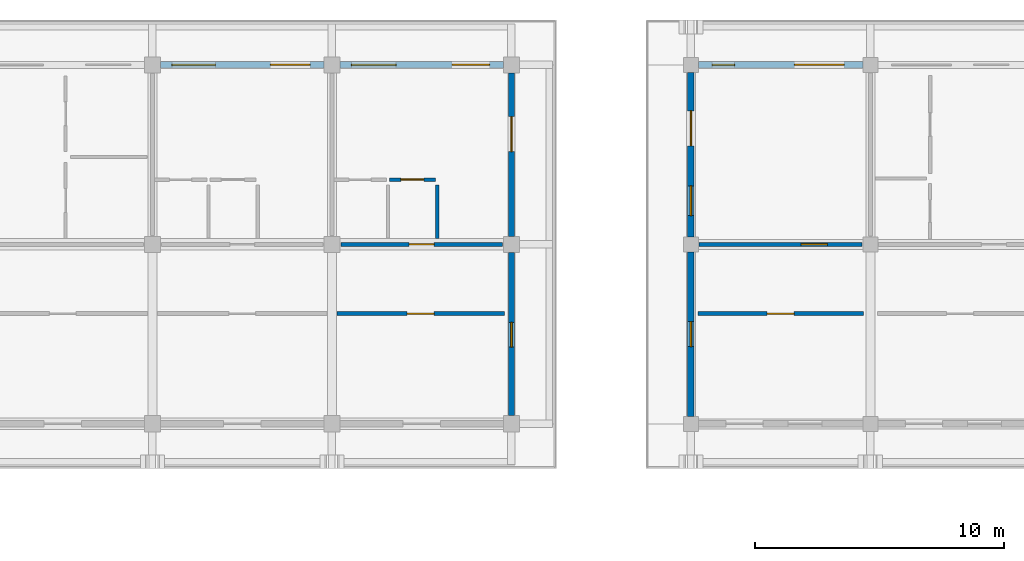
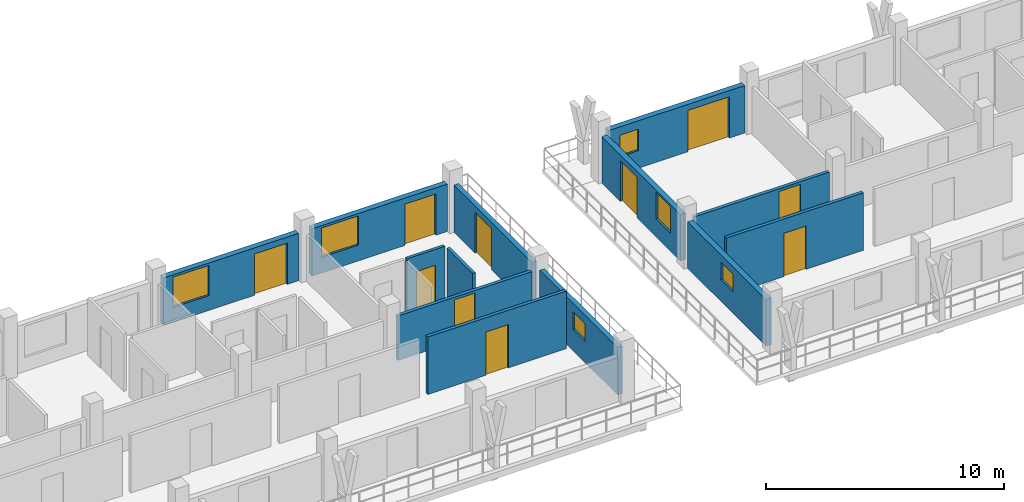
# One storey, part 51 of 78: 13 walls, 10 doors, 6 windows, 16 openings.
"""IFC4 building model written with IfcOpenShell, lengths in metres."""

from ifc_helpers import new_model, si_unit, direction, frame, frame_2d, origin, place, context, subcontext, project, spatial, rectangle, extrude, material, layer, layer_set, type_object, element, fill, save


model = new_model("IFC4")

# Units and contexts
model_context = context("Model", 3, precision=1e-05, world=origin(), true_north=direction((0.0, 1.0)))
body_context = subcontext(model_context, "Body", "Model", "MODEL_VIEW")
ifc_project = project(units=[si_unit("LENGTHUNIT", "METRE"), si_unit("AREAUNIT", "SQUARE_METRE"), si_unit("VOLUMEUNIT", "CUBIC_METRE"), si_unit("PLANEANGLEUNIT", "RADIAN"), si_unit("MASSUNIT", "GRAM", prefix="KILO")], contexts=[model_context])

# Site, building, storey
site_placement = place(None, origin())
site = spatial("IfcSite", under=ifc_project, at=site_placement, CompositionType="ELEMENT")
building_placement = place(site_placement, origin())
building = spatial("IfcBuilding", under=site, at=building_placement, Name="Suanplinth Sawtooth Commons", CompositionType="ELEMENT")
storey_placement = place(building_placement, frame((0.0, 0.0, 15.39990234375)))
storey = spatial("IfcBuildingStorey", under=building, at=storey_placement, Name="L04", CompositionType="ELEMENT", Elevation=15.39990234375)

# Wall, openings, door, window
ifc_material_1 = material(Name="Precast concrete C40/50", Category="concrete")
ifc_layer_1 = layer(ifc_material_1, 0.260009765625, Name="Insulated precast courtyard facade wall 260mm")
ifc_layer_set_1 = layer_set([ifc_layer_1], Name="Precast concrete C40/50")
wall_type_1 = type_object("IfcWallType", Name="W-EX02", PredefinedType="ELEMENTEDWALL", material=ifc_layer_set_1)
wall_1_placement = place(storey_placement, frame((101.125, 122.39990234375, 0.0), z_axis=(0.0, 0.0, 1.0), x_axis=(1.0, 0.0, 0.0)))
wall_1 = element("IfcWall", 1, at=wall_1_placement, inside=storey, type_object=wall_type_1, Name="Facade Wall W-L04-A-N-14", PredefinedType="ELEMENTEDWALL", context=body_context, shape_type="SweptSolid", body=[
    extrude(rectangle(XDim=6.550048828125, YDim=0.260009765625, at=frame_2d((3.27490234375, 0.0))), origin(), (0.0, 0.0, 1.0), 2.43017578125),
])
opening_1_placement = place(wall_1_placement, frame((4.39990234375, 0.0, 0.0)))
opening_1 = element("IfcOpeningElement", 2, at=opening_1_placement, cuts=wall_1, Name="Opening ED0329", PredefinedType="OPENING", context=body_context, shape_type="SweptSolid", body=[
    extrude(rectangle(XDim=1.60009765625, YDim=2.1201171875, at=frame_2d((0.800048828125, 1.06005859375))), frame((0.0, 0.14501953125, 0.0), z_axis=(0.0, -1.0, 0.0), x_axis=(1.0, 0.0, 0.0)), (0.0, 0.0, 1.0), 0.289794921875),
])
opening_2_placement = place(wall_1_placement, frame((0.449951171875, 0.0, 0.760009765625)))
opening_2 = element("IfcOpeningElement", 3, at=opening_2_placement, cuts=wall_1, Name="Opening W0428", PredefinedType="OPENING", context=body_context, shape_type="SweptSolid", body=[
    extrude(rectangle(XDim=1.75, YDim=1.550048828125, at=frame_2d((0.875, 0.77490234375))), frame((0.0, 0.14501953125, 0.0), z_axis=(0.0, -1.0, 0.0), x_axis=(1.0, 0.0, 0.0)), (0.0, 0.0, 1.0), 0.289794921875),
])
ifc_material_2 = material(Name="Anodized aluminium and low-E glass", Category="aluminium")
door_type_1 = type_object("IfcDoorType", Name="SD-02", OperationType="SLIDING_TO_RIGHT", PredefinedType="DOOR", material=ifc_material_2)
door_1_placement = place(opening_1_placement, frame((1.60009765625, 0.0, 0.0), z_axis=(0.0, 0.0, 1.0), x_axis=(-1.0, 0.0, 0.0)))
door_1 = element("IfcDoor", 4, at=door_1_placement, inside=storey, type_object=door_type_1, Name="Balcony Sliding Door L04-A-N-14", OperationType="SLIDING_TO_RIGHT", OverallHeight=2.1201171875, OverallWidth=1.60009765625, PredefinedType="DOOR", context=body_context, shape_type="SweptSolid", body=[
    extrude(rectangle(XDim=1.60009765625, YDim=2.1201171875, at=frame_2d((0.800048828125, 1.06005859375))), frame((0.0, 0.02490234375, 0.0), z_axis=(0.0, -1.0, 0.0), x_axis=(1.0, 0.0, 0.0)), (0.0, 0.0, 1.0), 0.050048828125),
])
fill(opening_1, door_1)
ifc_material_3 = material(Name="Thermally broken aluminium and low-E double glazing", Category="aluminium")
window_type_1 = type_object("IfcWindowType", Name="WN-26", PartitioningType="DOUBLE_PANEL_VERTICAL", PredefinedType="WINDOW", material=ifc_material_3)
window_1_placement = place(opening_2_placement, origin())
window_1 = element("IfcWindow", 5, at=window_1_placement, inside=storey, type_object=window_type_1, Name="Window L04-A-N-14", OverallHeight=1.550048828125, OverallWidth=1.75, PartitioningType="DOUBLE_PANEL_VERTICAL", PredefinedType="WINDOW", context=body_context, shape_type="SweptSolid", body=[
    extrude(rectangle(XDim=1.75, YDim=1.550048828125, at=frame_2d((0.875, 0.77490234375))), frame((0.0, 0.030029296875, 0.0), z_axis=(0.0, -1.0, 0.0), x_axis=(1.0, 0.0, 0.0)), (0.0, 0.0, 1.0), 0.06005859375),
])
fill(opening_2, window_1)

wall_2_placement = place(storey_placement, frame((108.324951171875, 122.39990234375, 0.0), z_axis=(0.0, 0.0, 1.0), x_axis=(1.0, 0.0, 0.0)))
wall_2 = element("IfcWall", 6, at=wall_2_placement, inside=storey, type_object=wall_type_1, Name="Facade Wall W-L04-A-N-15", PredefinedType="ELEMENTEDWALL", context=body_context, shape_type="SweptSolid", body=[
    extrude(rectangle(XDim=6.550048828125, YDim=0.260009765625, at=frame_2d((3.27490234375, 0.0))), origin(), (0.0, 0.0, 1.0), 2.43017578125),
])
opening_3_placement = place(wall_2_placement, frame((4.5, 0.0, 0.0)))
opening_3 = element("IfcOpeningElement", 7, at=opening_3_placement, cuts=wall_2, Name="Opening ED0331", PredefinedType="OPENING", context=body_context, shape_type="SweptSolid", body=[
    extrude(rectangle(XDim=1.5, YDim=2.1201171875, at=frame_2d((0.75, 1.06005859375))), frame((0.0, 0.14501953125, 0.0), z_axis=(0.0, -1.0, 0.0), x_axis=(1.0, 0.0, 0.0)), (0.0, 0.0, 1.0), 0.289794921875),
])
opening_4_placement = place(wall_2_placement, frame((0.449951171875, 0.0, 0.81005859375)))
opening_4 = element("IfcOpeningElement", 8, at=opening_4_placement, cuts=wall_2, Name="Opening W0429", PredefinedType="OPENING", context=body_context, shape_type="SweptSolid", body=[
    extrude(rectangle(XDim=1.800048828125, YDim=1.5, at=frame_2d((0.89990234375, 0.75))), frame((0.0, 0.14501953125, 0.0), z_axis=(0.0, -1.0, 0.0), x_axis=(1.0, 0.0, 0.0)), (0.0, 0.0, 1.0), 0.289794921875),
])
door_type_2 = type_object("IfcDoorType", Name="SD-03", OperationType="SLIDING_TO_LEFT", PredefinedType="DOOR", material=ifc_material_2)
door_2_placement = place(opening_3_placement, frame((1.5, 0.0, 0.0), z_axis=(0.0, 0.0, 1.0), x_axis=(-1.0, 0.0, 0.0)))
door_2 = element("IfcDoor", 9, at=door_2_placement, inside=storey, type_object=door_type_2, Name="Balcony Sliding Door L04-A-N-15", OperationType="SLIDING_TO_LEFT", OverallHeight=2.1201171875, OverallWidth=1.5, PredefinedType="DOOR", context=body_context, shape_type="SweptSolid", body=[
    extrude(rectangle(XDim=1.5, YDim=2.1201171875, at=frame_2d((0.75, 1.06005859375))), frame((0.0, 0.02490234375, 0.0), z_axis=(0.0, -1.0, 0.0), x_axis=(1.0, 0.0, 0.0)), (0.0, 0.0, 1.0), 0.050048828125),
])
fill(opening_3, door_2)
window_type_2 = type_object("IfcWindowType", Name="WN-01", PartitioningType="DOUBLE_PANEL_VERTICAL", PredefinedType="WINDOW", material=ifc_material_3)
window_2_placement = place(opening_4_placement, origin())
window_2 = element("IfcWindow", 10, at=window_2_placement, inside=storey, type_object=window_type_2, Name="Window L04-A-N-15", OverallHeight=1.5, OverallWidth=1.800048828125, PartitioningType="DOUBLE_PANEL_VERTICAL", PredefinedType="WINDOW", context=body_context, shape_type="SweptSolid", body=[
    extrude(rectangle(XDim=1.800048828125, YDim=1.5, at=frame_2d((0.89990234375, 0.75))), frame((0.0, 0.030029296875, 0.0), z_axis=(0.0, -1.0, 0.0), x_axis=(1.0, 0.0, 0.0)), (0.0, 0.0, 1.0), 0.06005859375),
])
fill(opening_4, window_2)

# Wall, opening, window
wall_3_placement = place(storey_placement, frame((122.39990234375, 108.300048828125, 0.0), z_axis=(0.0, 0.0, 1.0), x_axis=(0.0, 1.0, 0.0)))
wall_3 = element("IfcWall", 11, at=wall_3_placement, inside=storey, type_object=wall_type_1, Name="Facade Wall W-L04-B-W-17-15", PredefinedType="ELEMENTEDWALL", context=body_context, shape_type="SweptSolid", body=[
    extrude(rectangle(XDim=6.599853515625, YDim=0.260009765625, at=frame_2d((3.2998046875, 0.0))), origin(), (0.0, 0.0, 1.0), 2.385009765625),
])
opening_5_placement = place(wall_3_placement, frame((2.800048828125, 0.0, 1.10009765625)))
opening_5 = element("IfcOpeningElement", 12, at=opening_5_placement, cuts=wall_3, Name="Opening W0433", PredefinedType="OPENING", context=body_context, shape_type="SweptSolid", body=[
    extrude(rectangle(XDim=1.0, YDim=0.89990234375, at=frame_2d((0.5, 0.449951171875))), frame((0.0, 0.14501953125, 0.0), z_axis=(0.0, -1.0, 0.0), x_axis=(1.0, 0.0, 0.0)), (0.0, 0.0, 1.0), 0.289794921875),
])
window_type_3 = type_object("IfcWindowType", Name="WN-12", PartitioningType="SINGLE_PANEL", PredefinedType="WINDOW", material=ifc_material_3)
window_3_placement = place(opening_5_placement, origin())
window_3 = element("IfcWindow", 13, at=window_3_placement, inside=storey, type_object=window_type_3, Name="End Window L04-B-W-17-15", OverallHeight=0.89990234375, OverallWidth=1.0, PartitioningType="SINGLE_PANEL", PredefinedType="WINDOW", context=body_context, shape_type="SweptSolid", body=[
    extrude(rectangle(XDim=1.0, YDim=0.89990234375, at=frame_2d((0.5, 0.449951171875))), frame((0.0, 0.030029296875, 0.0), z_axis=(0.0, -1.0, 0.0), x_axis=(1.0, 0.0, 0.0)), (0.0, 0.0, 1.0), 0.06005859375),
])
fill(opening_5, window_3)

# Wall, openings, door, window
wall_4_placement = place(storey_placement, frame((122.699951171875, 122.39990234375, 0.0), z_axis=(0.0, 0.0, 1.0), x_axis=(1.0, 0.0, 0.0)))
wall_4 = element("IfcWall", 14, at=wall_4_placement, inside=storey, type_object=wall_type_1, Name="Facade Wall W-L04-B-N-17-16", PredefinedType="ELEMENTEDWALL", context=body_context, shape_type="SweptSolid", body=[
    extrude(rectangle(XDim=6.60009765625, YDim=0.260009765625, at=frame_2d((3.300048828125, 0.0))), origin(), (0.0, 0.0, 1.0), 2.43017578125),
])
opening_6_placement = place(wall_4_placement, frame((3.85009765625, 0.0, 0.0)))
opening_6 = element("IfcOpeningElement", 15, at=opening_6_placement, cuts=wall_4, Name="Opening ED0336", PredefinedType="OPENING", context=body_context, shape_type="SweptSolid", body=[
    extrude(rectangle(XDim=2.0, YDim=2.1201171875, at=frame_2d((1.0, 1.06005859375))), frame((0.0, 0.14501953125, 0.0), z_axis=(0.0, -1.0, 0.0), x_axis=(1.0, 0.0, 0.0)), (0.0, 0.0, 1.0), 0.289794921875),
])
opening_7_placement = place(wall_4_placement, frame((0.550048828125, 0.0, 0.89990234375)))
opening_7 = element("IfcOpeningElement", 16, at=opening_7_placement, cuts=wall_4, Name="Opening W0434", PredefinedType="OPENING", context=body_context, shape_type="SweptSolid", body=[
    extrude(rectangle(XDim=0.89990234375, YDim=1.10009765625, at=frame_2d((0.449951171875, 0.550048828125))), frame((0.0, 0.14501953125, 0.0), z_axis=(0.0, -1.0, 0.0), x_axis=(1.0, 0.0, 0.0)), (0.0, 0.0, 1.0), 0.289794921875),
])
door_type_3 = type_object("IfcDoorType", Name="SD-06", OperationType="DOUBLE_DOOR_SLIDING", PredefinedType="DOOR", material=ifc_material_2)
door_3_placement = place(opening_6_placement, frame((2.0, 0.0, 0.0), z_axis=(0.0, 0.0, 1.0), x_axis=(-1.0, 0.0, 0.0)))
door_3 = element("IfcDoor", 17, at=door_3_placement, inside=storey, type_object=door_type_3, Name="Balcony Sliding Door L04-B-17", OperationType="DOUBLE_DOOR_SLIDING", OverallHeight=2.1201171875, OverallWidth=2.0, PredefinedType="DOOR", context=body_context, shape_type="SweptSolid", body=[
    extrude(rectangle(XDim=2.0, YDim=2.1201171875, at=frame_2d((1.0, 1.06005859375))), frame((0.0, 0.02490234375, 0.0), z_axis=(0.0, -1.0, 0.0), x_axis=(1.0, 0.0, 0.0)), (0.0, 0.0, 1.0), 0.050048828125),
])
fill(opening_6, door_3)
window_type_4 = type_object("IfcWindowType", Name="WN-04", PartitioningType="SINGLE_PANEL", PredefinedType="WINDOW", material=ifc_material_3)
window_4_placement = place(opening_7_placement, origin())
window_4 = element("IfcWindow", 18, at=window_4_placement, inside=storey, type_object=window_type_4, Name="Apartment Window L04-B-17", OverallHeight=1.10009765625, OverallWidth=0.89990234375, PartitioningType="SINGLE_PANEL", PredefinedType="WINDOW", context=body_context, shape_type="SweptSolid", body=[
    extrude(rectangle(XDim=0.89990234375, YDim=1.10009765625, at=frame_2d((0.449951171875, 0.550048828125))), frame((0.0, 0.030029296875, 0.0), z_axis=(0.0, -1.0, 0.0), x_axis=(1.0, 0.0, 0.0)), (0.0, 0.0, 1.0), 0.06005859375),
])
fill(opening_7, window_4)

wall_5_placement = place(storey_placement, frame((122.39990234375, 115.5, 0.0), z_axis=(0.0, 0.0, 1.0), x_axis=(0.0, 1.0, 0.0)))
wall_5 = element("IfcWall", 19, at=wall_5_placement, inside=storey, type_object=wall_type_1, Name="Facade Wall W-L04-B-W-17-16", PredefinedType="ELEMENTEDWALL", context=body_context, shape_type="SweptSolid", body=[
    extrude(rectangle(XDim=6.60009765625, YDim=0.260009765625, at=frame_2d((3.300048828125, 0.0))), origin(), (0.0, 0.0, 1.0), 2.385009765625),
])
opening_8_placement = place(wall_5_placement, frame((3.64990234375, 0.0, 0.0)))
opening_8 = element("IfcOpeningElement", 20, at=opening_8_placement, cuts=wall_5, Name="Opening ED0337", PredefinedType="OPENING", context=body_context, shape_type="SweptSolid", body=[
    extrude(rectangle(XDim=1.39990234375, YDim=2.10009765625, at=frame_2d((0.699951171875, 1.050048828125))), frame((0.0, 0.14501953125, 0.0), z_axis=(0.0, -1.0, 0.0), x_axis=(1.0, 0.0, 0.0)), (0.0, 0.0, 1.0), 0.289794921875),
])
opening_9_placement = place(wall_5_placement, frame((0.85009765625, 0.0, 0.925048828125)))
opening_9 = element("IfcOpeningElement", 21, at=opening_9_placement, cuts=wall_5, Name="Opening W0435", PredefinedType="OPENING", context=body_context, shape_type="SweptSolid", body=[
    extrude(rectangle(XDim=1.199951171875, YDim=1.35009765625, at=frame_2d((0.60009765625, 0.675048828125))), frame((0.0, 0.14501953125, 0.0), z_axis=(0.0, -1.0, 0.0), x_axis=(1.0, 0.0, 0.0)), (0.0, 0.0, 1.0), 0.289794921875),
])
door_type_4 = type_object("IfcDoorType", Name="SD-07", OperationType="SLIDING_TO_RIGHT", PredefinedType="DOOR", material=ifc_material_2)
door_4_placement = place(opening_8_placement, frame((1.39990234375, 0.0, 0.0), z_axis=(0.0, 0.0, 1.0), x_axis=(-1.0, 0.0, 0.0)))
door_4 = element("IfcDoor", 22, at=door_4_placement, inside=storey, type_object=door_type_4, Name="End Balcony Sliding Door L04-B-W-17-16", OperationType="SLIDING_TO_RIGHT", OverallHeight=2.10009765625, OverallWidth=1.39990234375, PredefinedType="DOOR", context=body_context, shape_type="SweptSolid", body=[
    extrude(rectangle(XDim=1.39990234375, YDim=2.10009765625, at=frame_2d((0.699951171875, 1.050048828125))), frame((0.0, 0.02490234375, 0.0), z_axis=(0.0, -1.0, 0.0), x_axis=(1.0, 0.0, 0.0)), (0.0, 0.0, 1.0), 0.050048828125),
])
fill(opening_8, door_4)
window_type_5 = type_object("IfcWindowType", Name="WN-03", PartitioningType="SINGLE_PANEL", PredefinedType="WINDOW", material=ifc_material_3)
window_5_placement = place(opening_9_placement, origin())
window_5 = element("IfcWindow", 23, at=window_5_placement, inside=storey, type_object=window_type_5, Name="End Bedroom Window L04-B-17-16", OverallHeight=1.35009765625, OverallWidth=1.199951171875, PartitioningType="SINGLE_PANEL", PredefinedType="WINDOW", context=body_context, shape_type="SweptSolid", body=[
    extrude(rectangle(XDim=1.199951171875, YDim=1.35009765625, at=frame_2d((0.60009765625, 0.675048828125))), frame((0.0, 0.030029296875, 0.0), z_axis=(0.0, -1.0, 0.0), x_axis=(1.0, 0.0, 0.0)), (0.0, 0.0, 1.0), 0.06005859375),
])
fill(opening_9, window_5)

# Wall, opening, window
ifc_layer_2 = layer(ifc_material_1, 0.22998046875, Name="Stepped terrace insulated precast wall 230mm")
ifc_layer_set_2 = layer_set([ifc_layer_2], Name="Precast concrete C40/50")
wall_type_2 = type_object("IfcWallType", Name="W-EX06", PredefinedType="ELEMENTEDWALL", material=ifc_layer_set_2)
wall_6_placement = place(storey_placement, frame((115.199951171875, 108.324951171875, 0.0), z_axis=(0.0, 0.0, 1.0), x_axis=(0.0, 1.0, 0.0)))
wall_6 = element("IfcWall", 24, at=wall_6_placement, inside=storey, type_object=wall_type_2, Name="End Wall W-L04-A-E-15", PredefinedType="ELEMENTEDWALL", context=body_context, shape_type="SweptSolid", body=[
    extrude(rectangle(XDim=6.550048828125, YDim=0.22998046875, at=frame_2d((3.27490234375, 0.0))), origin(), (0.0, 0.0, 1.0), 2.43017578125),
])
opening_10_placement = place(wall_6_placement, frame((2.75, 0.0, 1.10009765625)))
opening_10 = element("IfcOpeningElement", 25, at=opening_10_placement, cuts=wall_6, Name="Opening W0431", PredefinedType="OPENING", context=body_context, shape_type="SweptSolid", body=[
    extrude(rectangle(XDim=1.0, YDim=0.89990234375, at=frame_2d((0.5, 0.449951171875))), frame((0.0, 0.1298828125, 0.0), z_axis=(0.0, -1.0, 0.0), x_axis=(1.0, 0.0, 0.0)), (0.0, 0.0, 1.0), 0.259765625),
])
window_6_placement = place(opening_10_placement, origin())
window_6 = element("IfcWindow", 26, at=window_6_placement, inside=storey, type_object=window_type_3, Name="End Window L04-A-E-15", OverallHeight=0.89990234375, OverallWidth=1.0, PartitioningType="SINGLE_PANEL", PredefinedType="WINDOW", context=body_context, shape_type="SweptSolid", body=[
    extrude(rectangle(XDim=1.0, YDim=0.89990234375, at=frame_2d((0.5, 0.449951171875))), frame((0.0, 0.030029296875, 0.0), z_axis=(0.0, -1.0, 0.0), x_axis=(1.0, 0.0, 0.0)), (0.0, 0.0, 1.0), 0.06005859375),
])
fill(opening_10, window_6)

# Wall, opening, door
wall_7_placement = place(storey_placement, frame((115.199951171875, 115.52490234375, 0.0), z_axis=(0.0, 0.0, 1.0), x_axis=(0.0, 1.0, 0.0)))
wall_7 = element("IfcWall", 27, at=wall_7_placement, inside=storey, type_object=wall_type_2, Name="End Wall W-L04-A-E-16", PredefinedType="ELEMENTEDWALL", context=body_context, shape_type="SweptSolid", body=[
    extrude(rectangle(XDim=6.550048828125, YDim=0.22998046875, at=frame_2d((3.27490234375, 0.0))), origin(), (0.0, 0.0, 1.0), 2.43017578125),
])
opening_11_placement = place(wall_7_placement, frame((3.39990234375, 0.0, 0.0)))
opening_11 = element("IfcOpeningElement", 28, at=opening_11_placement, cuts=wall_7, Name="Opening ED0334", PredefinedType="OPENING", context=body_context, shape_type="SweptSolid", body=[
    extrude(rectangle(XDim=1.39990234375, YDim=2.10009765625, at=frame_2d((0.699951171875, 1.050048828125))), frame((0.0, 0.1298828125, 0.0), z_axis=(0.0, -1.0, 0.0), x_axis=(1.0, 0.0, 0.0)), (0.0, 0.0, 1.0), 0.259765625),
])
door_5_placement = place(opening_11_placement, frame((1.39990234375, 0.0, 0.0), z_axis=(0.0, 0.0, 1.0), x_axis=(-1.0, 0.0, 0.0)))
door_5 = element("IfcDoor", 29, at=door_5_placement, inside=storey, type_object=door_type_4, Name="L04 Block A E End Balcony Door", OperationType="SLIDING_TO_RIGHT", OverallHeight=2.10009765625, OverallWidth=1.39990234375, PredefinedType="DOOR", context=body_context, shape_type="SweptSolid", body=[
    extrude(rectangle(XDim=1.39990234375, YDim=2.10009765625, at=frame_2d((0.699951171875, 1.050048828125))), frame((0.0, 0.02490234375, 0.0), z_axis=(0.0, -1.0, 0.0), x_axis=(1.0, 0.0, 0.0)), (0.0, 0.0, 1.0), 0.050048828125),
])
fill(opening_11, door_5)

ifc_layer_3 = layer(ifc_material_1, 0.159912109375, Name="Fire-rated corridor and lobby wall 160mm")
ifc_layer_set_3 = layer_set([ifc_layer_3], Name="Precast concrete C40/50")
wall_type_3 = type_object("IfcWallType", Name="W-FW01", PredefinedType="PARTITIONING", material=ifc_layer_set_3)
wall_8_placement = place(storey_placement, frame((108.35498046875, 115.199951171875, 0.0), z_axis=(0.0, 0.0, 1.0), x_axis=(1.0, 0.0, 0.0)))
wall_8 = element("IfcWall", 30, at=wall_8_placement, inside=storey, type_object=wall_type_3, Name="W-A-L04-U12-COR", PredefinedType="PARTITIONING", context=body_context, shape_type="SweptSolid", body=[
    extrude(rectangle(XDim=6.489990234375, YDim=0.159912109375, at=frame_2d((3.2451171875, 0.0))), origin(), (0.0, 0.0, 1.0), 2.28515625),
])
opening_12_placement = place(wall_8_placement, frame((2.7451171875, 0.0, 0.0)))
opening_12 = element("IfcOpeningElement", 31, at=opening_12_placement, cuts=wall_8, Name="Opening FD1080", PredefinedType="OPENING", context=body_context, shape_type="SweptSolid", body=[
    extrude(rectangle(XDim=1.0, YDim=2.14990234375, at=frame_2d((0.5, 1.074951171875))), frame((0.0, 0.0947265625, 0.0), z_axis=(0.0, -1.0, 0.0), x_axis=(1.0, 0.0, 0.0)), (0.0, 0.0, 1.0), 0.189697265625),
])
ifc_material_4 = material(Name="Teak hardwood fire-rated door assembly", Category="wood")
door_type_5 = type_object("IfcDoorType", Name="FD-03", OperationType="NOTDEFINED", PredefinedType="DOOR", material=ifc_material_4)
door_6_placement = place(opening_12_placement, origin())
door_6 = element("IfcDoor", 32, at=door_6_placement, inside=storey, type_object=door_type_5, Name="Unit Entrance Door FD1080", OperationType="SINGLE_SWING_RIGHT", OverallHeight=2.14990234375, OverallWidth=1.0, PredefinedType="DOOR", context=body_context, shape_type="SweptSolid", body=[
    extrude(rectangle(XDim=1.0, YDim=2.14990234375, at=frame_2d((0.5, 1.074951171875))), frame((0.0, 0.02490234375, 0.0), z_axis=(0.0, -1.0, 0.0), x_axis=(1.0, 0.0, 0.0)), (0.0, 0.0, 1.0), 0.050048828125),
])
fill(opening_12, door_6)

wall_9_placement = place(storey_placement, frame((108.199951171875, 112.419921875, 0.0), z_axis=(0.0, 0.0, 1.0), x_axis=(1.0, 0.0, 0.0)))
wall_9 = element("IfcWall", 33, at=wall_9_placement, inside=storey, type_object=wall_type_3, Name="W-A-L04-COURTROOM-23-COR", PredefinedType="PARTITIONING", context=body_context, shape_type="SweptSolid", body=[
    extrude(rectangle(XDim=6.719970703125, YDim=0.159912109375, at=frame_2d((3.35986328125, 0.0))), origin(), (0.0, 0.0, 1.0), 2.9501953125),
])
opening_13_placement = place(wall_9_placement, frame((2.820068359375, 0.0, 0.0)))
opening_13 = element("IfcOpeningElement", 34, at=opening_13_placement, cuts=wall_9, Name="Opening D1094", PredefinedType="OPENING", context=body_context, shape_type="SweptSolid", body=[
    extrude(rectangle(XDim=1.080078125, YDim=2.219970703125, at=frame_2d((0.5400390625, 1.10986328125))), frame((0.0, 0.0947265625, 0.0), z_axis=(0.0, -1.0, 0.0), x_axis=(1.0, 0.0, 0.0)), (0.0, 0.0, 1.0), 0.189697265625),
])
ifc_material_5 = material(Name="Teak hardwood", Category="wood")
door_type_6 = type_object("IfcDoorType", Name="D-17", OperationType="NOTDEFINED", PredefinedType="DOOR", material=ifc_material_5)
door_7_placement = place(opening_13_placement, frame((1.080078125, 0.0, 0.0), z_axis=(0.0, 0.0, 1.0), x_axis=(-1.0, 0.0, 0.0)))
door_7 = element("IfcDoor", 35, at=door_7_placement, inside=storey, type_object=door_type_6, Name="Study Studio Door D1094", OperationType="SINGLE_SWING_RIGHT", OverallHeight=2.219970703125, OverallWidth=1.080078125, PredefinedType="DOOR", context=body_context, shape_type="SweptSolid", body=[
    extrude(rectangle(XDim=1.080078125, YDim=2.219970703125, at=frame_2d((0.5400390625, 1.10986328125))), frame((0.0, 0.02490234375, 0.0), z_axis=(0.0, -1.0, 0.0), x_axis=(1.0, 0.0, 0.0)), (0.0, 0.0, 1.0), 0.050048828125),
])
fill(opening_13, door_7)

wall_10_placement = place(storey_placement, frame((122.72998046875, 115.199951171875, 0.0), z_axis=(0.0, 0.0, 1.0), x_axis=(1.0, 0.0, 0.0)))
wall_10 = element("IfcWall", 36, at=wall_10_placement, inside=storey, type_object=wall_type_3, Name="W-B-L04-U01-COR", PredefinedType="PARTITIONING", context=body_context, shape_type="SweptSolid", body=[
    extrude(rectangle(XDim=6.5400390625, YDim=0.159912109375, at=frame_2d((3.27001953125, 0.0))), origin(), (0.0, 0.0, 1.0), 2.335205078125),
])
opening_14_placement = place(wall_10_placement, frame((4.094970703125, 0.0, 0.0)))
opening_14 = element("IfcOpeningElement", 37, at=opening_14_placement, cuts=wall_10, Name="Opening D1095", PredefinedType="OPENING", context=body_context, shape_type="SweptSolid", body=[
    extrude(rectangle(XDim=1.050048828125, YDim=2.199951171875, at=frame_2d((0.52490234375, 1.10009765625))), frame((0.0, 0.0947265625, 0.0), z_axis=(0.0, -1.0, 0.0), x_axis=(1.0, 0.0, 0.0)), (0.0, 0.0, 1.0), 0.189697265625),
])
door_type_7 = type_object("IfcDoorType", Name="D-05", OperationType="NOTDEFINED", PredefinedType="DOOR", material=ifc_material_5)
door_8_placement = place(opening_14_placement, origin())
door_8 = element("IfcDoor", 38, at=door_8_placement, inside=storey, type_object=door_type_7, Name="Unit Entrance Door D1095", OperationType="SINGLE_SWING_LEFT", OverallHeight=2.199951171875, OverallWidth=1.050048828125, PredefinedType="DOOR", context=body_context, shape_type="SweptSolid", body=[
    extrude(rectangle(XDim=1.050048828125, YDim=2.199951171875, at=frame_2d((0.52490234375, 1.10009765625))), frame((0.0, 0.02490234375, 0.0), z_axis=(0.0, -1.0, 0.0), x_axis=(1.0, 0.0, 0.0)), (0.0, 0.0, 1.0), 0.050048828125),
])
fill(opening_14, door_8)

wall_11_placement = place(storey_placement, frame((122.679931640625, 112.419921875, 0.0), z_axis=(0.0, 0.0, 1.0), x_axis=(1.0, 0.0, 0.0)))
wall_11 = element("IfcWall", 39, at=wall_11_placement, inside=storey, type_object=wall_type_3, Name="W-B-L04-COURTROOM-31-COR", PredefinedType="PARTITIONING", context=body_context, shape_type="SweptSolid", body=[
    extrude(rectangle(XDim=6.64013671875, YDim=0.159912109375, at=frame_2d((3.320068359375, 0.0))), origin(), (0.0, 0.0, 1.0), 2.9501953125),
])
opening_15_placement = place(wall_11_placement, frame((2.780029296875, 0.0, 0.0)))
opening_15 = element("IfcOpeningElement", 40, at=opening_15_placement, cuts=wall_11, Name="Opening D1119", PredefinedType="OPENING", context=body_context, shape_type="SweptSolid", body=[
    extrude(rectangle(XDim=1.080078125, YDim=2.219970703125, at=frame_2d((0.5400390625, 1.10986328125))), frame((0.0, 0.0947265625, 0.0), z_axis=(0.0, -1.0, 0.0), x_axis=(1.0, 0.0, 0.0)), (0.0, 0.0, 1.0), 0.189697265625),
])
door_9_placement = place(opening_15_placement, frame((1.080078125, 0.0, 0.0), z_axis=(0.0, 0.0, 1.0), x_axis=(-1.0, 0.0, 0.0)))
door_9 = element("IfcDoor", 41, at=door_9_placement, inside=storey, type_object=door_type_6, Name="Study Studio Door D1119", OperationType="SINGLE_SWING_LEFT", OverallHeight=2.219970703125, OverallWidth=1.080078125, PredefinedType="DOOR", context=body_context, shape_type="SweptSolid", body=[
    extrude(rectangle(XDim=1.080078125, YDim=2.219970703125, at=frame_2d((0.5400390625, 1.10986328125))), frame((0.0, 0.02490234375, 0.0), z_axis=(0.0, -1.0, 0.0), x_axis=(1.0, 0.0, 0.0)), (0.0, 0.0, 1.0), 0.050048828125),
])
fill(opening_15, door_9)

ifc_material_6 = material(Name="Gypsum plasterboard on steel stud", Category="steel")
ifc_layer_4 = layer(ifc_material_6, 0.139892578125, Name="Fire-rated kitchen partition 140mm")
ifc_layer_set_4 = layer_set([ifc_layer_4], Name="Gypsum plasterboard on steel stud")
wall_type_4 = type_object("IfcWallType", Name="W-PT01", PredefinedType="PARTITIONING", material=ifc_layer_set_4)
wall_12_placement = place(storey_placement, frame((110.300048828125, 117.800048828125, 0.0), z_axis=(0.0, 0.0, 1.0), x_axis=(1.0, 0.0, 0.0)))
wall_12 = element("IfcWall", 42, at=wall_12_placement, inside=storey, type_object=wall_type_4, Name="W-A-L04-U12-KIT1", PredefinedType="PARTITIONING", context=body_context, shape_type="SweptSolid", body=[
    extrude(rectangle(XDim=1.849853515625, YDim=0.139892578125, at=frame_2d((0.9248046875, 0.0))), origin(), (0.0, 0.0, 1.0), 2.9501953125),
])
opening_16_placement = place(wall_12_placement, frame((0.4599609375, 0.0, 0.0)))
opening_16 = element("IfcOpeningElement", 43, at=opening_16_placement, cuts=wall_12, Name="Opening D1082", PredefinedType="OPENING", context=body_context, shape_type="SweptSolid", body=[
    extrude(rectangle(XDim=0.929931640625, YDim=2.139892578125, at=frame_2d((0.46484375, 1.06982421875))), frame((0.0, 0.0849609375, 0.0), z_axis=(0.0, -1.0, 0.0), x_axis=(1.0, 0.0, 0.0)), (0.0, 0.0, 1.0), 0.169677734375),
])
door_type_8 = type_object("IfcDoorType", Name="D-19", OperationType="NOTDEFINED", PredefinedType="DOOR", material=ifc_material_5)
door_10_placement = place(opening_16_placement, frame((0.929931640625, 0.0, 0.0), z_axis=(0.0, 0.0, 1.0), x_axis=(-1.0, 0.0, 0.0)))
door_10 = element("IfcDoor", 44, at=door_10_placement, inside=storey, type_object=door_type_8, Name="Kitchen Door D1082", OperationType="SINGLE_SWING_RIGHT", OverallHeight=2.139892578125, OverallWidth=0.929931640625, PredefinedType="DOOR", context=body_context, shape_type="SweptSolid", body=[
    extrude(rectangle(XDim=0.929931640625, YDim=2.139892578125, at=frame_2d((0.46484375, 1.06982421875))), frame((0.0, 0.02490234375, 0.0), z_axis=(0.0, -1.0, 0.0), x_axis=(1.0, 0.0, 0.0)), (0.0, 0.0, 1.0), 0.050048828125),
])
fill(opening_16, door_10)

# Wall
wall_13_placement = place(storey_placement, frame((112.219970703125, 115.429931640625, 0.0), z_axis=(0.0, 0.0, 1.0), x_axis=(0.0, 1.0, 0.0)))
element("IfcWall", 45, at=wall_13_placement, inside=storey, type_object=wall_type_4, Name="W-A-L04-U12-KIT2", PredefinedType="PARTITIONING", context=body_context, shape_type="SweptSolid", body=[
    extrude(rectangle(XDim=2.150146484375, YDim=0.139892578125, at=frame_2d((1.0751953125, 0.0))), origin(), (0.0, 0.0, 1.0), 2.9501953125),
])

save(model, "model.ifc")
